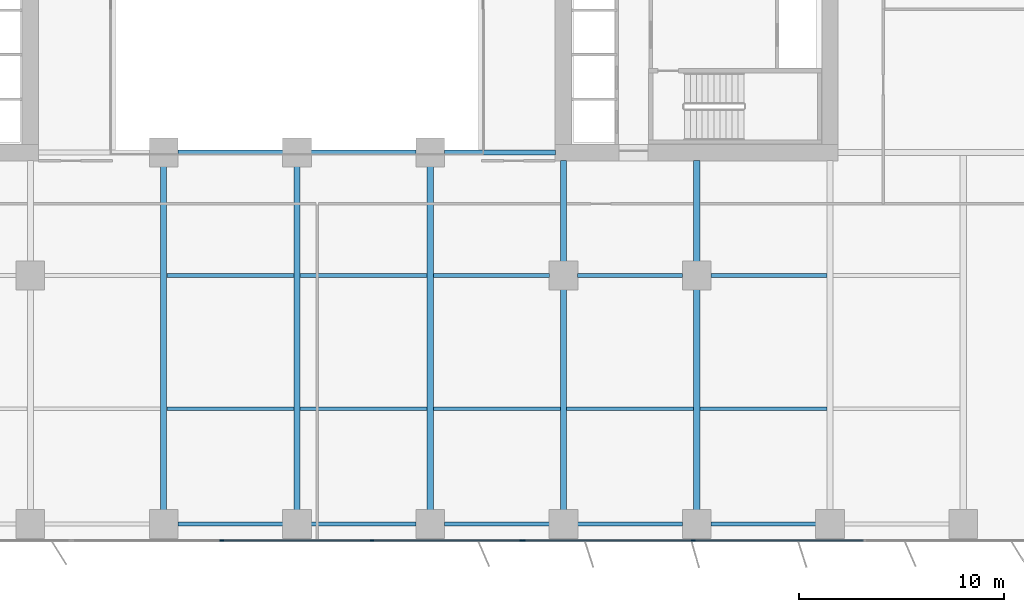
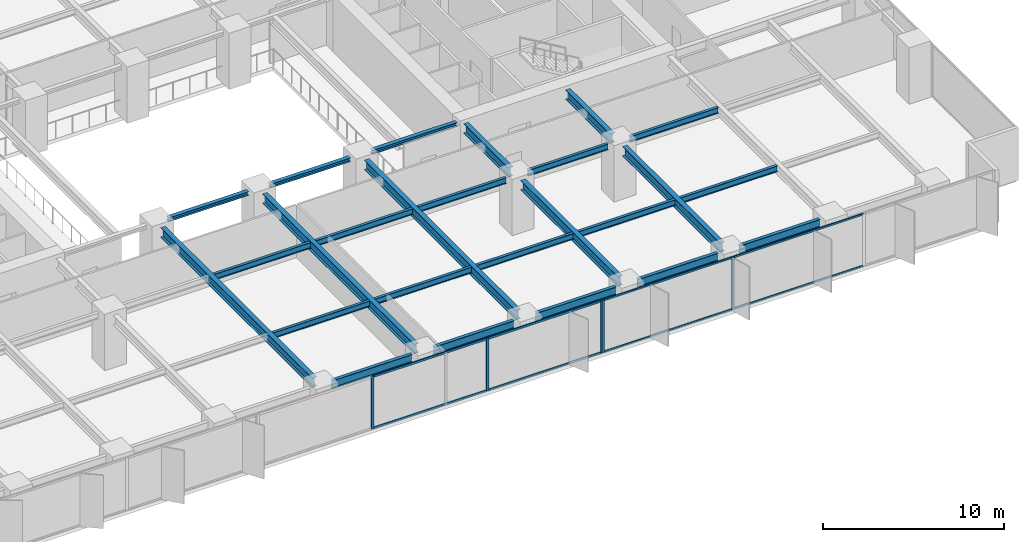
# One storey, part 5 of 20: 25 beams, 13 members, 2 elements without a shape of their own.
"""IFC4 building model written with IfcOpenShell, lengths in metres."""

from ifc_helpers import new_model, si_unit, direction, frame, origin, origin_2d, place, context, subcontext, project, spatial, rectangle, i_section, extrude, material, layer, layer_set, material_profile, profile_set, type_object, element, aggregate, save


model = new_model("IFC4")

# Units and contexts
model_context = context("Model", 3, precision=1e-05, world=origin(), true_north=direction((0.0, 1.0)))
body_context = subcontext(model_context, "Body", "Model", "MODEL_VIEW")
ifc_project = project(units=[si_unit("LENGTHUNIT", "METRE"), si_unit("AREAUNIT", "SQUARE_METRE"), si_unit("VOLUMEUNIT", "CUBIC_METRE"), si_unit("PLANEANGLEUNIT", "RADIAN"), si_unit("MASSUNIT", "GRAM", prefix="KILO")], contexts=[model_context])

# Site, building, storey
site_placement = place(None, origin())
site = spatial("IfcSite", under=ifc_project, at=site_placement, CompositionType="ELEMENT")
building_placement = place(site_placement, origin())
building = spatial("IfcBuilding", under=site, at=building_placement, Name="Putna Gate Headquarters", CompositionType="ELEMENT")
storey_placement = place(building_placement, frame((0.0, 0.0, 27.800048828125)))
storey = spatial("IfcBuildingStorey", under=building, at=storey_placement, Name="L05", CompositionType="ELEMENT", Elevation=27.800048828125)

# Beams
ifc_material_1 = material(Name="Steel S355J2", Category="steel")
ifc_material_profile_1 = material_profile(ifc_material_1, i_section(OverallWidth=0.260009765625, OverallDepth=0.260009765625, WebThickness=0.010009765625, FlangeThickness=0.017578125, at=origin_2d()), Name="Steel S355J2")
ifc_profile_set_1 = profile_set([ifc_material_profile_1], Name="Steel S355J2")
beam_type_1 = type_object("IfcBeamType", Name="BM-ATRIUM-HEB260", PredefinedType="BEAM", material=ifc_profile_set_1)
for number, where, z_axis, x_axis, name in (
    (1, (33.18798828125, 19.0, 3.419921875), (1.0, 0.0, 0.0), (0.0, 1.0, 0.0), "L05 Atrium Edge Beam AS2"),
    (2, (39.68798828125, 19.0, 3.419921875), (1.0, 0.0, 0.0), (0.0, 1.0, 0.0), "L05 Atrium Edge Beam AS3"),
):
    element("IfcBeam", number, at=place(storey_placement, frame(where, z_axis=z_axis, x_axis=x_axis)), inside=storey, type_object=beam_type_1, Name=name, PredefinedType="BEAM", context=body_context, shape_type="SweptSolid", body=[
        extrude(i_section(OverallWidth=0.260009765625, OverallDepth=0.260009765625, WebThickness=0.010009765625, FlangeThickness=0.017578125, at=origin_2d()), origin(), (0.0, 0.0, 1.0), 5.1240234375),
    ])
beam_1_placement = place(storey_placement, frame((46.18798828125, 19.0, 3.419921875), z_axis=(1.0, 0.0, 0.0), x_axis=(0.0, 1.0, 0.0)))
element("IfcBeam", 3, at=beam_1_placement, inside=storey, type_object=beam_type_1, Name="L05 Atrium Edge Beam AS4", PredefinedType="BEAM", context=body_context, shape_type="SweptSolid", body=[
    extrude(i_section(OverallWidth=0.260009765625, OverallDepth=0.260009765625, WebThickness=0.010009765625, FlangeThickness=0.017578125, at=origin_2d()), origin(), (0.0, 0.0, 1.0), 5.427001953125),
])
ifc_material_profile_2 = material_profile(ifc_material_1, i_section(OverallWidth=0.300048828125, OverallDepth=0.64990234375, WebThickness=0.01611328125, FlangeThickness=0.031005859375, at=origin_2d()), Name="Steel S355J2")
ifc_profile_set_2 = profile_set([ifc_material_profile_2], Name="Steel S355J2")
beam_type_2 = type_object("IfcBeamType", Name="BM-GIRD-Z1-HEB650", PredefinedType="USERDEFINED", material=ifc_profile_set_2)
for number, where, z_axis, x_axis, name in (
    (4, (32.5, 1.568115234375, 3.224853515625), (0.0, 1.0, 0.0), (-1.0, 0.0, 0.0), "L05 South Primary Girder X32"),
    (5, (39.0, 1.568115234375, 3.224853515625), (0.0, 1.0, 0.0), (-1.0, 0.0, 0.0), "L05 South Primary Girder X39"),
    (6, (45.5, 1.568115234375, 3.224853515625), (0.0, 1.0, 0.0), (-1.0, 0.0, 0.0), "L05 South Primary Girder X45"),
):
    element("IfcBeam", number, at=place(storey_placement, frame(where, z_axis=z_axis, x_axis=x_axis)), inside=storey, type_object=beam_type_2, Name=name, ObjectType="GIRDER", PredefinedType="USERDEFINED", context=body_context, shape_type="SweptSolid", body=[
        extrude(i_section(OverallWidth=0.300048828125, OverallDepth=0.64990234375, WebThickness=0.01611328125, FlangeThickness=0.031005859375, at=origin_2d()), origin(), (0.0, 0.0, 1.0), 16.743896484375),
    ])
beam_2_placement = place(storey_placement, frame((52.0, 1.568115234375, 3.224853515625), z_axis=(0.0, 1.0, 0.0), x_axis=(-1.0, 0.0, 0.0)))
element("IfcBeam", 7, at=beam_2_placement, inside=storey, type_object=beam_type_2, Name="L05 South Primary Girder X52-1", ObjectType="GIRDER", PredefinedType="USERDEFINED", context=body_context, shape_type="SweptSolid", body=[
    extrude(i_section(OverallWidth=0.300048828125, OverallDepth=0.64990234375, WebThickness=0.01611328125, FlangeThickness=0.031005859375, at=origin_2d()), origin(), (0.0, 0.0, 1.0), 10.743896484375),
])
beam_3_placement = place(storey_placement, frame((52.0, 13.68798828125, 3.224853515625), z_axis=(0.0, 1.0, 0.0), x_axis=(-1.0, 0.0, 0.0)))
element("IfcBeam", 8, at=beam_3_placement, inside=storey, type_object=beam_type_2, Name="L05 South Primary Girder X52-2", ObjectType="GIRDER", PredefinedType="USERDEFINED", context=body_context, shape_type="SweptSolid", body=[
    extrude(i_section(OverallWidth=0.300048828125, OverallDepth=0.64990234375, WebThickness=0.01611328125, FlangeThickness=0.031005859375, at=origin_2d()), origin(), (0.0, 0.0, 1.0), 4.927001953125),
])
beam_4_placement = place(storey_placement, frame((58.5, 1.568115234375, 3.224853515625), z_axis=(0.0, 1.0, 0.0), x_axis=(-1.0, 0.0, 0.0)))
element("IfcBeam", 9, at=beam_4_placement, inside=storey, type_object=beam_type_2, Name="L05 South Primary Girder X58-1", ObjectType="GIRDER", PredefinedType="USERDEFINED", context=body_context, shape_type="SweptSolid", body=[
    extrude(i_section(OverallWidth=0.300048828125, OverallDepth=0.64990234375, WebThickness=0.01611328125, FlangeThickness=0.031005859375, at=origin_2d()), origin(), (0.0, 0.0, 1.0), 10.743896484375),
])
beam_5_placement = place(storey_placement, frame((58.5, 13.68798828125, 3.224853515625), z_axis=(0.0, 1.0, 0.0), x_axis=(-1.0, 0.0, 0.0)))
element("IfcBeam", 10, at=beam_5_placement, inside=storey, type_object=beam_type_2, Name="L05 South Primary Girder X58-2", ObjectType="GIRDER", PredefinedType="USERDEFINED", context=body_context, shape_type="SweptSolid", body=[
    extrude(i_section(OverallWidth=0.300048828125, OverallDepth=0.64990234375, WebThickness=0.01611328125, FlangeThickness=0.031005859375, at=origin_2d()), origin(), (0.0, 0.0, 1.0), 4.927001953125),
])
ifc_material_profile_3 = material_profile(ifc_material_1, i_section(OverallWidth=0.179931640625, OverallDepth=0.39990234375, WebThickness=0.008544921875, FlangeThickness=0.013427734375, at=origin_2d()), Name="Steel S355J2")
ifc_profile_set_3 = profile_set([ifc_material_profile_3], Name="Steel S355J2")
beam_type_3 = type_object("IfcBeamType", Name="BM-SEC-Z1-IPE400", PredefinedType="BEAM", material=ifc_profile_set_3)
for number, where, z_axis, x_axis, name in (
    (11, (32.654052734375, 6.5, 3.349853515625), (1.0, 0.0, 0.0), (0.0, 1.0, 0.0), "L05 South Secondary Beam 5"),
    (12, (32.654052734375, 13.0, 3.349853515625), (1.0, 0.0, 0.0), (0.0, 1.0, 0.0), "L05 South Secondary Beam 5"),
    (13, (39.154052734375, 6.5, 3.349853515625), (1.0, 0.0, 0.0), (0.0, 1.0, 0.0), "L05 South Secondary Beam 6"),
    (14, (39.154052734375, 13.0, 3.349853515625), (1.0, 0.0, 0.0), (0.0, 1.0, 0.0), "L05 South Secondary Beam 6"),
    (15, (45.654052734375, 6.5, 3.349853515625), (1.0, 0.0, 0.0), (0.0, 1.0, 0.0), "L05 South Secondary Beam 7"),
):
    element("IfcBeam", number, at=place(storey_placement, frame(where, z_axis=z_axis, x_axis=x_axis)), inside=storey, type_object=beam_type_3, Name=name, PredefinedType="BEAM", context=body_context, shape_type="SweptSolid", body=[
        extrude(i_section(OverallWidth=0.179931640625, OverallDepth=0.39990234375, WebThickness=0.008544921875, FlangeThickness=0.013427734375, at=origin_2d()), origin(), (0.0, 0.0, 1.0), 6.19189453125),
    ])
beam_6_placement = place(storey_placement, frame((45.654052734375, 13.0, 3.349853515625), z_axis=(1.0, 0.0, 0.0), x_axis=(0.0, 1.0, 0.0)))
element("IfcBeam", 16, at=beam_6_placement, inside=storey, type_object=beam_type_3, Name="L05 South Secondary Beam 7", PredefinedType="BEAM", context=body_context, shape_type="SweptSolid", body=[
    extrude(i_section(OverallWidth=0.179931640625, OverallDepth=0.39990234375, WebThickness=0.008544921875, FlangeThickness=0.013427734375, at=origin_2d()), origin(), (0.0, 0.0, 1.0), 5.657958984375),
])
beam_7_placement = place(storey_placement, frame((52.154052734375, 6.5, 3.349853515625), z_axis=(1.0, 0.0, 0.0), x_axis=(0.0, 1.0, 0.0)))
element("IfcBeam", 17, at=beam_7_placement, inside=storey, type_object=beam_type_3, Name="L05 South Secondary Beam 8", PredefinedType="BEAM", context=body_context, shape_type="SweptSolid", body=[
    extrude(i_section(OverallWidth=0.179931640625, OverallDepth=0.39990234375, WebThickness=0.008544921875, FlangeThickness=0.013427734375, at=origin_2d()), origin(), (0.0, 0.0, 1.0), 6.19189453125),
])
beam_8_placement = place(storey_placement, frame((52.68798828125, 13.0, 3.349853515625), z_axis=(1.0, 0.0, 0.0), x_axis=(0.0, 1.0, 0.0)))
element("IfcBeam", 18, at=beam_8_placement, inside=storey, type_object=beam_type_3, Name="L05 South Secondary Beam 8", PredefinedType="BEAM", context=body_context, shape_type="SweptSolid", body=[
    extrude(i_section(OverallWidth=0.179931640625, OverallDepth=0.39990234375, WebThickness=0.008544921875, FlangeThickness=0.013427734375, at=origin_2d()), origin(), (0.0, 0.0, 1.0), 5.1240234375),
])
beam_9_placement = place(storey_placement, frame((58.654052734375, 6.5, 3.349853515625), z_axis=(1.0, 0.0, 0.0), x_axis=(0.0, 1.0, 0.0)))
element("IfcBeam", 19, at=beam_9_placement, inside=storey, type_object=beam_type_3, Name="L05 South Secondary Beam 9", PredefinedType="BEAM", context=body_context, shape_type="SweptSolid", body=[
    extrude(i_section(OverallWidth=0.179931640625, OverallDepth=0.39990234375, WebThickness=0.008544921875, FlangeThickness=0.013427734375, at=origin_2d()), origin(), (0.0, 0.0, 1.0), 6.19189453125),
])
beam_10_placement = place(storey_placement, frame((59.18798828125, 13.0, 3.349853515625), z_axis=(1.0, 0.0, 0.0), x_axis=(0.0, 1.0, 0.0)))
element("IfcBeam", 20, at=beam_10_placement, inside=storey, type_object=beam_type_3, Name="L05 South Secondary Beam 9", PredefinedType="BEAM", context=body_context, shape_type="SweptSolid", body=[
    extrude(i_section(OverallWidth=0.179931640625, OverallDepth=0.39990234375, WebThickness=0.008544921875, FlangeThickness=0.013427734375, at=origin_2d()), origin(), (0.0, 0.0, 1.0), 5.657958984375),
])
ifc_material_profile_4 = material_profile(ifc_material_1, i_section(OverallWidth=0.2099609375, OverallDepth=0.550048828125, WebThickness=0.010986328125, FlangeThickness=0.01708984375, at=origin_2d()), Name="Steel S355J2")
ifc_profile_set_4 = profile_set([ifc_material_profile_4], Name="Steel S355J2")
beam_type_4 = type_object("IfcBeamType", Name="BM-SPAN-Z1-IPE550", PredefinedType="SPANDREL", material=ifc_profile_set_4)
for number, where, z_axis, x_axis, name in (
    (21, (33.18798828125, 0.8798828125, 3.27490234375), (1.0, 0.0, 0.0), (0.0, 1.0, 0.0), "L05 S Perimeter Spandrel 5"),
    (22, (39.68798828125, 0.8798828125, 3.27490234375), (1.0, 0.0, 0.0), (0.0, 1.0, 0.0), "L05 S Perimeter Spandrel 6"),
    (23, (46.18798828125, 0.8798828125, 3.27490234375), (1.0, 0.0, 0.0), (0.0, 1.0, 0.0), "L05 S Perimeter Spandrel 7"),
    (24, (52.68798828125, 0.8798828125, 3.27490234375), (1.0, 0.0, 0.0), (0.0, 1.0, 0.0), "L05 S Perimeter Spandrel 8"),
    (25, (59.18798828125, 0.8798828125, 3.27490234375), (1.0, 0.0, 0.0), (0.0, 1.0, 0.0), "L05 S Perimeter Spandrel 9"),
):
    element("IfcBeam", number, at=place(storey_placement, frame(where, z_axis=z_axis, x_axis=x_axis)), inside=storey, type_object=beam_type_4, Name=name, PredefinedType="SPANDREL", context=body_context, shape_type="SweptSolid", body=[
        extrude(i_section(OverallWidth=0.2099609375, OverallDepth=0.550048828125, WebThickness=0.010986328125, FlangeThickness=0.01708984375, at=origin_2d()), origin(), (0.0, 0.0, 1.0), 5.1240234375),
    ])

# Curtain wall, members
ifc_material_2 = material(Name="Anodised bronze aluminium curtain wall", Category="aluminium")
ifc_layer_1 = layer(ifc_material_2, 0.179931640625)
ifc_layer_set_1 = layer_set([ifc_layer_1], Name="Anodised bronze aluminium curtain wall")
curtain_wall_type_1 = type_object("IfcCurtainWallType", Name="CW-SYS-Z1", PredefinedType="USERDEFINED", material=ifc_layer_set_1)
curtain_wall_1_placement = place(storey_placement, origin())
curtain_wall_1 = element("IfcCurtainWall", 26, at=curtain_wall_1_placement, inside=storey, type_object=curtain_wall_type_1, Name="L05 South East Curtain Wall", ObjectType="STICK CURTAIN WALL", PredefinedType="USERDEFINED")
ifc_material_3 = material(Name="Anodised bronze aluminium EN AW-6060", Category="aluminium")
ifc_material_profile_5 = material_profile(ifc_material_3, rectangle(XDim=0.070068359375, YDim=0.179931640625, at=origin_2d()), Name="Anodised bronze aluminium EN AW-6060")
ifc_profile_set_5 = profile_set([ifc_material_profile_5], Name="Anodised bronze aluminium EN AW-6060")
member_type_1 = type_object("IfcMemberType", Name="MULL-CWM-1", PredefinedType="MULLION", material=ifc_profile_set_5)
member_1_placement = place(storey_placement, frame((50.034912109375, 0.080078125, 0.0), z_axis=(0.0, 0.0, 1.0), x_axis=(0.0, 1.0, 0.0)))
member_1 = element("IfcMember", 27, at=member_1_placement, type_object=member_type_1, Name="CWS-1 mullion 1", PredefinedType="MULLION", context=body_context, shape_type="SweptSolid", body=[
    extrude(rectangle(XDim=0.070068359375, YDim=0.179931640625, at=origin_2d()), origin(), (0.0, 0.0, 1.0), 3.550048828125),
])
member_2_placement = place(storey_placement, frame((58.333251953125, 0.080078125, 0.0), z_axis=(0.0, 0.0, 1.0), x_axis=(0.0, 1.0, 0.0)))
member_2 = element("IfcMember", 28, at=member_2_placement, type_object=member_type_1, Name="CWS-1 mullion 2", PredefinedType="MULLION", context=body_context, shape_type="SweptSolid", body=[
    extrude(rectangle(XDim=0.070068359375, YDim=0.179931640625, at=origin_2d()), origin(), (0.0, 0.0, 1.0), 3.550048828125),
])

ifc_layer_2 = layer(ifc_material_2, 0.179931640625)
ifc_layer_set_2 = layer_set([ifc_layer_2], Name="Anodised bronze aluminium curtain wall")
curtain_wall_type_2 = type_object("IfcCurtainWallType", Name="CW-SYS-ATR", PredefinedType="USERDEFINED", material=ifc_layer_set_2)
curtain_wall_2_placement = place(storey_placement, origin())
curtain_wall_2 = element("IfcCurtainWall", 29, at=curtain_wall_2_placement, inside=storey, type_object=curtain_wall_type_2, Name="L05 South Atrium Clear Glazing", ObjectType="ATRIUM GLAZING", PredefinedType="USERDEFINED")
ifc_material_profile_6 = material_profile(ifc_material_3, rectangle(XDim=0.070068359375, YDim=0.179931640625, at=origin_2d()), Name="Anodised bronze aluminium EN AW-6060")
ifc_profile_set_6 = profile_set([ifc_material_profile_6], Name="Anodised bronze aluminium EN AW-6060")
member_type_2 = type_object("IfcMemberType", Name="MULL-CWM-AT", PredefinedType="MULLION", material=ifc_profile_set_6)
member_3_placement = place(storey_placement, frame((35.333251953125, 0.080078125, 0.0), z_axis=(0.0, 0.0, 1.0), x_axis=(0.0, 1.0, 0.0)))
member_3 = element("IfcMember", 30, at=member_3_placement, type_object=member_type_2, Name="CWS-AT mullion 2", PredefinedType="MULLION", context=body_context, shape_type="SweptSolid", body=[
    extrude(rectangle(XDim=0.070068359375, YDim=0.179931640625, at=origin_2d()), origin(), (0.0, 0.0, 1.0), 3.550048828125),
])
member_4_placement = place(storey_placement, frame((42.666748046875, 0.080078125, 0.0), z_axis=(0.0, 0.0, 1.0), x_axis=(0.0, 1.0, 0.0)))
member_4 = element("IfcMember", 31, at=member_4_placement, type_object=member_type_2, Name="CWS-AT mullion 3", PredefinedType="MULLION", context=body_context, shape_type="SweptSolid", body=[
    extrude(rectangle(XDim=0.070068359375, YDim=0.179931640625, at=origin_2d()), origin(), (0.0, 0.0, 1.0), 3.550048828125),
])
member_5_placement = place(storey_placement, frame((49.965087890625, 0.080078125, 0.0), z_axis=(0.0, 0.0, 1.0), x_axis=(0.0, 1.0, 0.0)))
member_5 = element("IfcMember", 32, at=member_5_placement, type_object=member_type_2, Name="CWS-AT mullion 4", PredefinedType="MULLION", context=body_context, shape_type="SweptSolid", body=[
    extrude(rectangle(XDim=0.070068359375, YDim=0.179931640625, at=origin_2d()), origin(), (0.0, 0.0, 1.0), 3.550048828125),
])

# Member
ifc_material_profile_7 = material_profile(ifc_material_3, rectangle(XDim=0.06494140625, YDim=0.1201171875, at=origin_2d()), Name="Anodised bronze aluminium EN AW-6060")
ifc_profile_set_7 = profile_set([ifc_material_profile_7], Name="Anodised bronze aluminium EN AW-6060")
member_type_3 = type_object("IfcMemberType", Name="TRAN-CWT-1", PredefinedType="USERDEFINED", material=ifc_profile_set_7)
member_6_placement = place(storey_placement, frame((50.070068359375, 0.080078125, 0.032470703125), z_axis=(1.0, 0.0, 0.0), x_axis=(0.0, 1.0, 0.0)))
member_6 = element("IfcMember", 33, at=member_6_placement, type_object=member_type_3, Name="CWS-1 transom 1.1", ObjectType="TRANSOM", PredefinedType="USERDEFINED", context=body_context, shape_type="SweptSolid", body=[
    extrude(rectangle(XDim=0.06494140625, YDim=0.1201171875, at=origin_2d()), origin(), (0.0, 0.0, 1.0), 8.228271484375),
])

member_7_placement = place(storey_placement, frame((50.070068359375, 0.080078125, 3.517333984375), z_axis=(1.0, 0.0, 0.0), x_axis=(0.0, 1.0, 0.0)))
member_7 = element("IfcMember", 34, at=member_7_placement, type_object=member_type_3, Name="CWS-1 transom 1.2", ObjectType="TRANSOM", PredefinedType="USERDEFINED", context=body_context, shape_type="SweptSolid", body=[
    extrude(rectangle(XDim=0.06494140625, YDim=0.1201171875, at=origin_2d()), origin(), (0.0, 0.0, 1.0), 8.228271484375),
])

member_8_placement = place(storey_placement, frame((58.368408203125, 0.080078125, 0.032470703125), z_axis=(1.0, 0.0, 0.0), x_axis=(0.0, 1.0, 0.0)))
member_8 = element("IfcMember", 35, at=member_8_placement, type_object=member_type_3, Name="CWS-1 transom 2.1", ObjectType="TRANSOM", PredefinedType="USERDEFINED", context=body_context, shape_type="SweptSolid", body=[
    extrude(rectangle(XDim=0.06494140625, YDim=0.1201171875, at=origin_2d()), origin(), (0.0, 0.0, 1.0), 8.26318359375),
])

member_9_placement = place(storey_placement, frame((58.368408203125, 0.080078125, 3.517333984375), z_axis=(1.0, 0.0, 0.0), x_axis=(0.0, 1.0, 0.0)))
member_9 = element("IfcMember", 36, at=member_9_placement, type_object=member_type_3, Name="CWS-1 transom 2.2", ObjectType="TRANSOM", PredefinedType="USERDEFINED", context=body_context, shape_type="SweptSolid", body=[
    extrude(rectangle(XDim=0.06494140625, YDim=0.1201171875, at=origin_2d()), origin(), (0.0, 0.0, 1.0), 8.26318359375),
])

aggregate(curtain_wall_1, [member_1, member_2, member_6, member_7, member_8, member_9])

ifc_material_profile_8 = material_profile(ifc_material_3, rectangle(XDim=0.070068359375, YDim=0.139892578125, at=origin_2d()), Name="Anodised bronze aluminium EN AW-6060")
ifc_profile_set_8 = profile_set([ifc_material_profile_8], Name="Anodised bronze aluminium EN AW-6060")
member_type_4 = type_object("IfcMemberType", Name="TRAN-CWT-AT", PredefinedType="USERDEFINED", material=ifc_profile_set_8)
member_10_placement = place(storey_placement, frame((35.368408203125, 0.080078125, 0.034912109375), z_axis=(1.0, 0.0, 0.0), x_axis=(0.0, 1.0, 0.0)))
member_10 = element("IfcMember", 37, at=member_10_placement, type_object=member_type_4, Name="CWS-AT transom 2.1", ObjectType="TRANSOM", PredefinedType="USERDEFINED", context=body_context, shape_type="SweptSolid", body=[
    extrude(rectangle(XDim=0.070068359375, YDim=0.139892578125, at=origin_2d()), origin(), (0.0, 0.0, 1.0), 7.26318359375),
])

member_11_placement = place(storey_placement, frame((35.368408203125, 0.080078125, 3.514892578125), z_axis=(1.0, 0.0, 0.0), x_axis=(0.0, 1.0, 0.0)))
member_11 = element("IfcMember", 38, at=member_11_placement, type_object=member_type_4, Name="CWS-AT transom 2.2", ObjectType="TRANSOM", PredefinedType="USERDEFINED", context=body_context, shape_type="SweptSolid", body=[
    extrude(rectangle(XDim=0.070068359375, YDim=0.139892578125, at=origin_2d()), origin(), (0.0, 0.0, 1.0), 7.26318359375),
])

member_12_placement = place(storey_placement, frame((42.70166015625, 0.080078125, 0.034912109375), z_axis=(1.0, 0.0, 0.0), x_axis=(0.0, 1.0, 0.0)))
member_12 = element("IfcMember", 39, at=member_12_placement, type_object=member_type_4, Name="CWS-AT transom 3.1", ObjectType="TRANSOM", PredefinedType="USERDEFINED", context=body_context, shape_type="SweptSolid", body=[
    extrude(rectangle(XDim=0.070068359375, YDim=0.139892578125, at=origin_2d()), origin(), (0.0, 0.0, 1.0), 7.228271484375),
])

member_13_placement = place(storey_placement, frame((42.70166015625, 0.080078125, 3.514892578125), z_axis=(1.0, 0.0, 0.0), x_axis=(0.0, 1.0, 0.0)))
member_13 = element("IfcMember", 40, at=member_13_placement, type_object=member_type_4, Name="CWS-AT transom 3.2", ObjectType="TRANSOM", PredefinedType="USERDEFINED", context=body_context, shape_type="SweptSolid", body=[
    extrude(rectangle(XDim=0.070068359375, YDim=0.139892578125, at=origin_2d()), origin(), (0.0, 0.0, 1.0), 7.228271484375),
])

aggregate(curtain_wall_2, [member_3, member_4, member_5, member_10, member_11, member_12, member_13])

save(model, "model.ifc")
